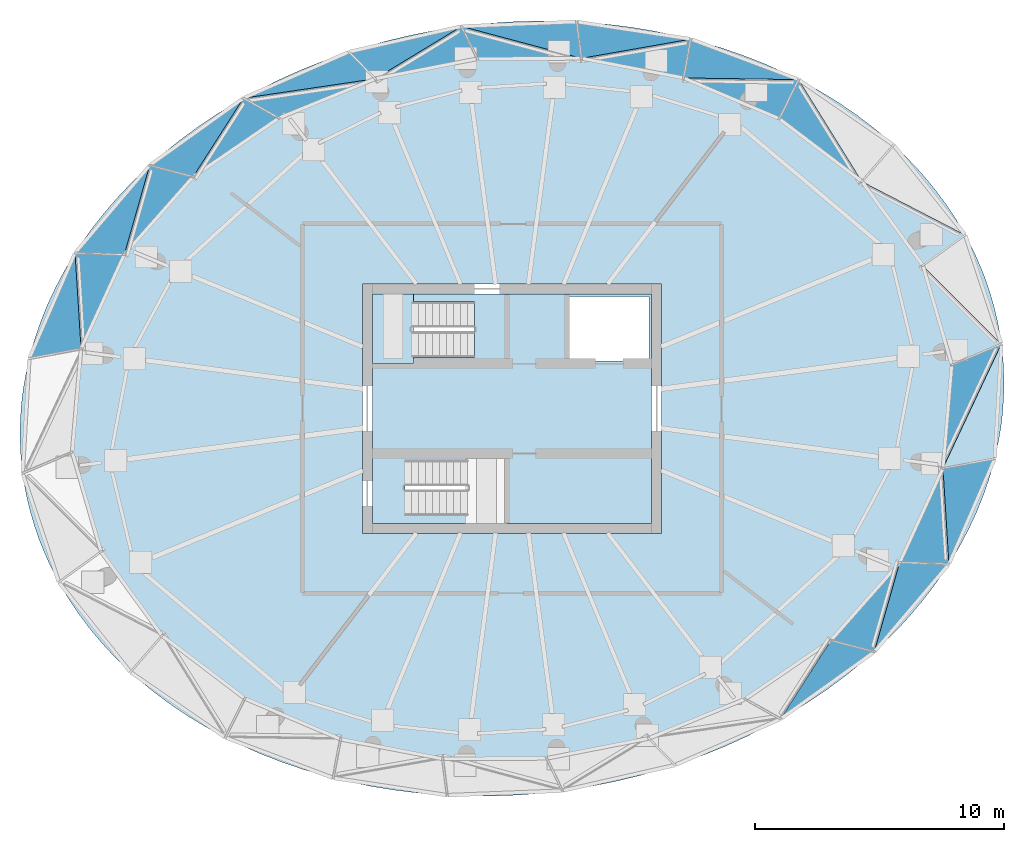
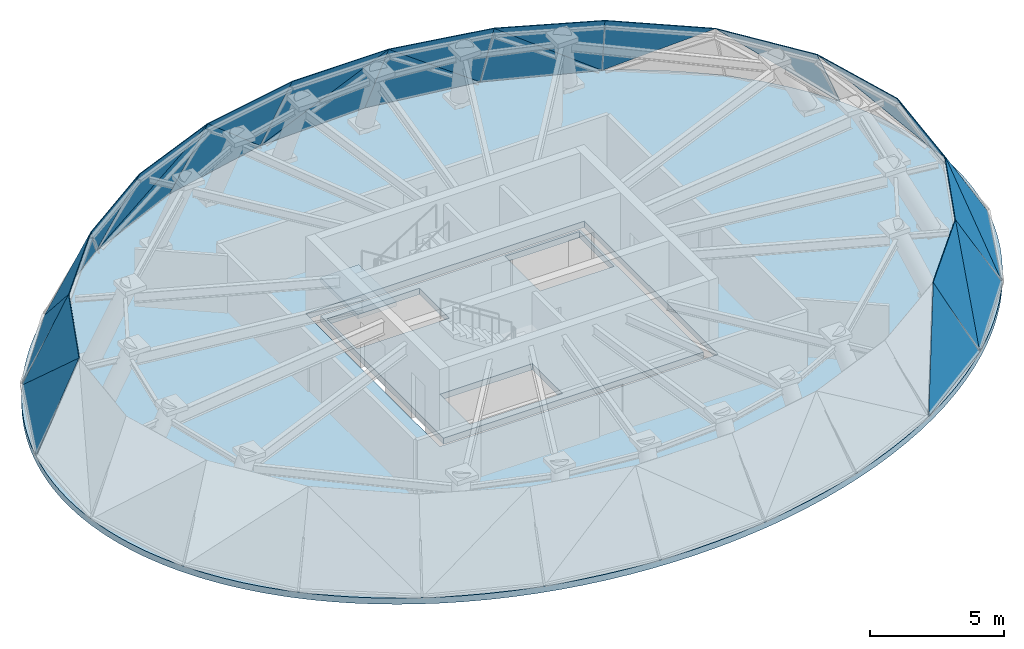
# One storey, part 6 of 9: 26 plates, 3 slabs, 27 elements without a shape of their own.
"""IFC4 building model written with IfcOpenShell, lengths in metres."""

from ifc_helpers import new_model, si_unit, direction, frame, origin, place, context, subcontext, project, spatial, line, indexed_curve, outline, extrude, material, layer, layer_set, type_object, element, aggregate, save


model = new_model("IFC4")

# Units and contexts
model_context = context("Model", 3, precision=1e-05, world=origin(), true_north=direction((0.0, 1.0)))
body_context = subcontext(model_context, "Body", "Model", "MODEL_VIEW")
ifc_project = project(units=[si_unit("LENGTHUNIT", "METRE"), si_unit("AREAUNIT", "SQUARE_METRE"), si_unit("VOLUMEUNIT", "CUBIC_METRE"), si_unit("PLANEANGLEUNIT", "RADIAN"), si_unit("MASSUNIT", "GRAM", prefix="KILO")], contexts=[model_context])

# Site, building, storey
site_placement = place(None, origin())
site = spatial("IfcSite", under=ifc_project, at=site_placement, CompositionType="ELEMENT")
building_placement = place(site_placement, origin())
building = spatial("IfcBuilding", under=site, at=building_placement, Name="Spindrift Exchange Tower", CompositionType="ELEMENT")
storey_placement = place(building_placement, frame((0.0, 0.0, 273.10009765625)))
storey = spatial("IfcBuildingStorey", under=building, at=storey_placement, Name="L67", CompositionType="ELEMENT", Elevation=273.10009765625)

# Curtain wall, plate
ifc_material_1 = material(Name="Fritted laminated glass with bronze frame", Category="glass")
ifc_layer_1 = layer(ifc_material_1, 0.14990234375)
ifc_layer_set_1 = layer_set([ifc_layer_1], Name="CROWN BRONZE RAKED GLAZED WALL")
curtain_wall_type = type_object("IfcCurtainWallType", Name="CROWN BRONZE RAKED GLAZED WALL", PredefinedType="NOTDEFINED", material=ifc_layer_set_1)
curtain_wall_1_placement = place(storey_placement, origin())
curtain_wall_1 = element("IfcCurtainWall", 1, at=curtain_wall_1_placement, inside=storey, type_object=curtain_wall_type, Name="L67 Crown Bronze Raked Glazed Wall facet 2", PredefinedType="NOTDEFINED")
ifc_material_2 = material(Name="Bronze fritted laminated glass, close frit", Category="glass")
ifc_layer_2 = layer(ifc_material_2, 0.030029296875)
ifc_layer_set_2 = layer_set([ifc_layer_2], Name="CROWN BRONZE RAKED GLAZED WALL PANEL CLOSE FRIT 300")
plate_type_1 = type_object("IfcPlateType", Name="CROWN BRONZE RAKED GLAZED WALL PANEL CLOSE FRIT 300", PredefinedType="CURTAIN_PANEL", material=ifc_layer_set_2)
plate_1_placement = place(storey_placement, frame((71.6171875, 50.591064453125, 0.015625), z_axis=(0.817805395786, 0.237777782334, 0.524076388375), x_axis=(-0.556906161695, 0.556560579218, 0.616519138978)))
plate_1 = element("IfcPlate", 2, at=plate_1_placement, type_object=plate_type_1, Name="L67 panel CW-R.1b", PredefinedType="CURTAIN_PANEL", context=body_context, shape_type="SweptSolid", body=[
    extrude(outline(indexed_curve([(0.0, 0.0), (5.6513671875, 0.0), (2.7861328125, 3.0068359375)], segments=[line(1, 2, 3, 1)], self_intersect=False)), origin(), (0.0, 0.0, -1.0), 0.030029296875),
])
aggregate(curtain_wall_1, [plate_1])

curtain_wall_2_placement = place(storey_placement, origin())
curtain_wall_2 = element("IfcCurtainWall", 3, at=curtain_wall_2_placement, inside=storey, type_object=curtain_wall_type, Name="L67 Crown Bronze Raked Glazed Wall facet 19", PredefinedType="NOTDEFINED")
plate_2_placement = place(storey_placement, frame((37.4775390625, 57.748779296875, 0.011962890625), z_axis=(-0.696440562249, 0.592748300759, 0.404499685045), x_axis=(-0.64813951054, -0.761521618128, 0.0)))
plate_2 = element("IfcPlate", 4, at=plate_2_placement, type_object=plate_type_1, Name="L67 panel CW-R.10a", PredefinedType="CURTAIN_PANEL", context=body_context, shape_type="SweptSolid", body=[
    extrude(outline(indexed_curve([(0.0, 0.0), (4.6162109375, 0.0), (3.3857421875, 3.814453125)], segments=[line(1, 2, 3, 1)], self_intersect=False)), origin(), (0.0, 0.0, -1.0), 0.030029296875),
])
aggregate(curtain_wall_2, [plate_2])

curtain_wall_3_placement = place(storey_placement, origin())
curtain_wall_3 = element("IfcCurtainWall", 5, at=curtain_wall_3_placement, inside=storey, type_object=curtain_wall_type, Name="L67 Crown Bronze Raked Glazed Wall facet 20", PredefinedType="NOTDEFINED")
plate_3_placement = place(storey_placement, frame((37.4775390625, 57.748779296875, 0.012451171875), z_axis=(-0.680273254336, 0.601735132064, 0.418501051701), x_axis=(-0.199886446238, -0.701637334042, 0.683922846591)))
plate_3 = element("IfcPlate", 6, at=plate_3_placement, type_object=plate_type_1, Name="L67 panel CW-R.10b", PredefinedType="CURTAIN_PANEL", context=body_context, shape_type="SweptSolid", body=[
    extrude(outline(indexed_curve([(0.0, 0.0), (5.099609375, 0.0), (2.359375, 3.1357421875)], segments=[line(1, 2, 3, 1)], self_intersect=False)), origin(), (0.0, 0.0, -1.0), 0.030029296875),
])
aggregate(curtain_wall_3, [plate_3])

curtain_wall_4_placement = place(storey_placement, origin())
curtain_wall_4 = element("IfcCurtainWall", 7, at=curtain_wall_4_placement, inside=storey, type_object=curtain_wall_type, Name="L67 Crown Bronze Raked Glazed Wall facet 21", PredefinedType="NOTDEFINED")
plate_4_placement = place(storey_placement, frame((34.4853515625, 54.233154296875, 0.01318359375), z_axis=(-0.819831460586, 0.35595453716, 0.448522846361), x_axis=(-0.398261289567, -0.917272012673, 0.0)))
plate_4 = element("IfcPlate", 8, at=plate_4_placement, type_object=plate_type_1, Name="L67 panel CW-R.11a", PredefinedType="CURTAIN_PANEL", context=body_context, shape_type="SweptSolid", body=[
    extrude(outline(indexed_curve([(0.0, 0.0), (4.6103515625, 0.0), (3.4296875, 3.9013671875)], segments=[line(1, 2, 3, 1)], self_intersect=False)), origin(), (0.0, 0.0, -1.0), 0.030029296875),
])
aggregate(curtain_wall_4, [plate_4])

curtain_wall_5_placement = place(storey_placement, origin())
curtain_wall_5 = element("IfcCurtainWall", 9, at=curtain_wall_5_placement, inside=storey, type_object=curtain_wall_type, Name="L67 Crown Bronze Raked Glazed Wall facet 22", PredefinedType="NOTDEFINED")
plate_5_placement = place(storey_placement, frame((34.4853515625, 54.233154296875, 0.013671875), z_axis=(-0.805851597387, 0.369565499422, 0.462627868406), x_axis=(0.046065017203, -0.739813577304, 0.671233107815)))
plate_5 = element("IfcPlate", 10, at=plate_5_placement, type_object=plate_type_1, Name="L67 panel CW-R.11b", PredefinedType="CURTAIN_PANEL", context=body_context, shape_type="SweptSolid", body=[
    extrude(outline(indexed_curve([(0.0, 0.0), (5.1943359375, 0.0), (2.4775390625, 3.1484375)], segments=[line(1, 2, 3, 1)], self_intersect=False)), origin(), (0.0, 0.0, -1.0), 0.030029296875),
])
aggregate(curtain_wall_5, [plate_5])

curtain_wall_6_placement = place(storey_placement, origin())
curtain_wall_6 = element("IfcCurtainWall", 11, at=curtain_wall_6_placement, inside=storey, type_object=curtain_wall_type, Name="L67 Crown Bronze Raked Glazed Wall facet 43", PredefinedType="NOTDEFINED")
plate_6_placement = place(storey_placement, frame((66.5224609375, 38.251220703125, 0.011962890625), z_axis=(0.696440562249, -0.592748300759, 0.404499685045), x_axis=(0.64813951054, 0.761521618128, 0.0)))
plate_6 = element("IfcPlate", 12, at=plate_6_placement, type_object=plate_type_1, Name="L67 panel CW-R.22a", PredefinedType="CURTAIN_PANEL", context=body_context, shape_type="SweptSolid", body=[
    extrude(outline(indexed_curve([(0.0, 0.0), (4.6162109375, 0.0), (3.3857421875, 3.814453125)], segments=[line(1, 2, 3, 1)], self_intersect=False)), origin(), (0.0, 0.0, -1.0), 0.030029296875),
])
aggregate(curtain_wall_6, [plate_6])

curtain_wall_7_placement = place(storey_placement, origin())
curtain_wall_7 = element("IfcCurtainWall", 13, at=curtain_wall_7_placement, inside=storey, type_object=curtain_wall_type, Name="L67 Crown Bronze Raked Glazed Wall facet 44", PredefinedType="NOTDEFINED")
plate_7_placement = place(storey_placement, frame((66.5224609375, 38.251220703125, 0.012451171875), z_axis=(0.680273254336, -0.601735132064, 0.418501051701), x_axis=(0.199886446238, 0.701637334042, 0.683922846591)))
plate_7 = element("IfcPlate", 14, at=plate_7_placement, type_object=plate_type_1, Name="L67 panel CW-R.22b", PredefinedType="CURTAIN_PANEL", context=body_context, shape_type="SweptSolid", body=[
    extrude(outline(indexed_curve([(0.0, 0.0), (5.099609375, 0.0), (2.359375, 3.1357421875)], segments=[line(1, 2, 3, 1)], self_intersect=False)), origin(), (0.0, 0.0, -1.0), 0.030029296875),
])
aggregate(curtain_wall_7, [plate_7])

curtain_wall_8_placement = place(storey_placement, origin())
curtain_wall_8 = element("IfcCurtainWall", 15, at=curtain_wall_8_placement, inside=storey, type_object=curtain_wall_type, Name="L67 Crown Bronze Raked Glazed Wall facet 45", PredefinedType="NOTDEFINED")
plate_8_placement = place(storey_placement, frame((69.5146484375, 41.766845703125, 0.01318359375), z_axis=(0.819831460586, -0.35595453716, 0.448522846361), x_axis=(0.398261289567, 0.917272012673, 0.0)))
plate_8 = element("IfcPlate", 16, at=plate_8_placement, type_object=plate_type_1, Name="L67 panel CW-R.23a", PredefinedType="CURTAIN_PANEL", context=body_context, shape_type="SweptSolid", body=[
    extrude(outline(indexed_curve([(0.0, 0.0), (4.6103515625, 0.0), (3.4296875, 3.9013671875)], segments=[line(1, 2, 3, 1)], self_intersect=False)), origin(), (0.0, 0.0, -1.0), 0.030029296875),
])
aggregate(curtain_wall_8, [plate_8])

curtain_wall_9_placement = place(storey_placement, origin())
curtain_wall_9 = element("IfcCurtainWall", 17, at=curtain_wall_9_placement, inside=storey, type_object=curtain_wall_type, Name="L67 Crown Bronze Raked Glazed Wall facet 46", PredefinedType="NOTDEFINED")
plate_9_placement = place(storey_placement, frame((69.5146484375, 41.766845703125, 0.013671875), z_axis=(0.805851597387, -0.369565499422, 0.462627868406), x_axis=(-0.046065017203, 0.739813577304, 0.671233107815)))
plate_9 = element("IfcPlate", 18, at=plate_9_placement, type_object=plate_type_1, Name="L67 panel CW-R.23b", PredefinedType="CURTAIN_PANEL", context=body_context, shape_type="SweptSolid", body=[
    extrude(outline(indexed_curve([(0.0, 0.0), (5.1943359375, 0.0), (2.4775390625, 3.1484375)], segments=[line(1, 2, 3, 1)], self_intersect=False)), origin(), (0.0, 0.0, -1.0), 0.030029296875),
])
aggregate(curtain_wall_9, [plate_9])

curtain_wall_10_placement = place(storey_placement, origin())
curtain_wall_10 = element("IfcCurtainWall", 19, at=curtain_wall_10_placement, inside=storey, type_object=curtain_wall_type, Name="L67 Crown Bronze Raked Glazed Wall facet 47", PredefinedType="NOTDEFINED")
plate_10_placement = place(storey_placement, frame((71.6171875, 50.591064453125, 0.01513671875), z_axis=(0.860548093675, -0.049921298252, 0.506916997597), x_axis=(-0.057913683636, -0.998321594101, 0.0)))
plate_10 = element("IfcPlate", 20, at=plate_10_placement, type_object=plate_type_1, Name="L67 panel CW-R.24a", PredefinedType="CURTAIN_PANEL", context=body_context, shape_type="SweptSolid", body=[
    extrude(outline(indexed_curve([(0.0, 0.0), (4.603515625, 0.0), (5.109375, -4.04296875)], segments=[line(1, 2, 3, 1)], self_intersect=False)), origin(), (0.0, 0.0, -1.0), 0.030029296875),
])
aggregate(curtain_wall_10, [plate_10])

curtain_wall_11_placement = place(storey_placement, origin())
curtain_wall_11 = element("IfcCurtainWall", 21, at=curtain_wall_11_placement, inside=storey, type_object=curtain_wall_type, Name="L67 Crown Bronze Raked Glazed Wall facet 48", PredefinedType="NOTDEFINED")
plate_11_placement = place(storey_placement, frame((71.6171875, 50.591064453125, 0.014404296875), z_axis=(0.87391189005, -0.074750604092, 0.480302358538), x_axis=(-0.35942410855, -0.76460059789, 0.53497685548)))
plate_11 = element("IfcPlate", 22, at=plate_11_placement, type_object=plate_type_1, Name="L67 panel CW-R.24b", PredefinedType="CURTAIN_PANEL", context=body_context, shape_type="SweptSolid", body=[
    extrude(outline(indexed_curve([(0.0, 0.0), (6.515625, 0.0), (3.2236328125, -2.533203125)], segments=[line(1, 2, 3, 1)], self_intersect=False)), origin(), (0.0, 0.0, -1.0), 0.030029296875),
])
aggregate(curtain_wall_11, [plate_11])

curtain_wall_12_placement = place(storey_placement, origin())
curtain_wall_12 = element("IfcCurtainWall", 23, at=curtain_wall_12_placement, inside=storey, type_object=curtain_wall_type, Name="L67 Crown Bronze Raked Glazed Wall facet 7", PredefinedType="NOTDEFINED")
ifc_layer_3 = layer(ifc_material_2, 0.030029296875)
ifc_layer_set_3 = layer_set([ifc_layer_3], Name="CROWN BRONZE RAKED GLAZED WALL PANEL CLOSE FRIT 420")
plate_type_2 = type_object("IfcPlateType", Name="CROWN BRONZE RAKED GLAZED WALL PANEL CLOSE FRIT 420", PredefinedType="CURTAIN_PANEL", material=ifc_layer_set_3)
plate_12_placement = place(storey_placement, frame((63.493408203125, 61.184814453125, 0.01220703125), z_axis=(0.320892026438, 0.85463487396, 0.408200366952), x_axis=(-0.936183619972, 0.351511350735, 0.0)))
plate_12 = element("IfcPlate", 24, at=plate_12_placement, type_object=plate_type_2, Name="L67 panel CW-R.4a", PredefinedType="CURTAIN_PANEL", context=body_context, shape_type="SweptSolid", body=[
    extrude(outline(indexed_curve([(0.0, 0.0), (4.62109375, 0.0), (4.34765625, 3.8203125)], segments=[line(1, 2, 3, 1)], self_intersect=False)), origin(), (0.0, 0.0, -1.0), 0.030029296875),
])
aggregate(curtain_wall_12, [plate_12])

curtain_wall_13_placement = place(storey_placement, origin())
curtain_wall_13 = element("IfcCurtainWall", 25, at=curtain_wall_13_placement, inside=storey, type_object=curtain_wall_type, Name="L67 Crown Bronze Raked Glazed Wall facet 8", PredefinedType="NOTDEFINED")
plate_13_placement = place(storey_placement, frame((63.493408203125, 61.184814453125, 0.01318359375), z_axis=(0.350396313984, 0.822496563657, 0.448019894557), x_axis=(-0.798016724851, 0.01177028263, 0.602520345968)))
plate_13 = element("IfcPlate", 26, at=plate_13_placement, type_object=plate_type_2, Name="L67 panel CW-R.4b", PredefinedType="CURTAIN_PANEL", context=body_context, shape_type="SweptSolid", body=[
    extrude(outline(indexed_curve([(0.0, 0.0), (5.787109375, 0.0), (2.7080078125, 2.80859375)], segments=[line(1, 2, 3, 1)], self_intersect=False)), origin(), (0.0, 0.0, -1.0), 0.030029296875),
])
aggregate(curtain_wall_13, [plate_13])

curtain_wall_14_placement = place(storey_placement, origin())
curtain_wall_14 = element("IfcCurtainWall", 27, at=curtain_wall_14_placement, inside=storey, type_object=curtain_wall_type, Name="L67 Crown Bronze Raked Glazed Wall facet 13", PredefinedType="NOTDEFINED")
plate_14_placement = place(storey_placement, frame((49.976806640625, 63.319091796875, 0.01025390625), z_axis=(-0.207777067508, 0.915468138565, 0.344596543062), x_axis=(-0.975198163872, -0.221333551865, 0.0)))
plate_14 = element("IfcPlate", 28, at=plate_14_placement, type_object=plate_type_2, Name="L67 panel CW-R.7a", PredefinedType="CURTAIN_PANEL", context=body_context, shape_type="SweptSolid", body=[
    extrude(outline(indexed_curve([(0.0, 0.0), (4.6240234375, 0.0), (3.8388671875, 3.7177734375)], segments=[line(1, 2, 3, 1)], self_intersect=False)), origin(), (0.0, 0.0, -1.0), 0.030029296875),
])
aggregate(curtain_wall_14, [plate_14])

curtain_wall_15_placement = place(storey_placement, origin())
curtain_wall_15 = element("IfcCurtainWall", 29, at=curtain_wall_15_placement, inside=storey, type_object=curtain_wall_type, Name="L67 Crown Bronze Raked Glazed Wall facet 14", PredefinedType="NOTDEFINED")
plate_15_placement = place(storey_placement, frame((49.976806640625, 63.319091796875, 0.010986328125), z_axis=(-0.178106005498, 0.911183149886, 0.371515165464), x_axis=(-0.647544215483, -0.392812420301, 0.652981539901)))
plate_15 = element("IfcPlate", 30, at=plate_15_placement, type_object=plate_type_2, Name="L67 panel CW-R.7b", PredefinedType="CURTAIN_PANEL", context=body_context, shape_type="SweptSolid", body=[
    extrude(outline(indexed_curve([(0.0, 0.0), (5.3427734375, 0.0), (2.37890625, 2.93359375)], segments=[line(1, 2, 3, 1)], self_intersect=False)), origin(), (0.0, 0.0, -1.0), 0.030029296875),
])
aggregate(curtain_wall_15, [plate_15])

curtain_wall_16_placement = place(storey_placement, origin())
curtain_wall_16 = element("IfcCurtainWall", 31, at=curtain_wall_16_placement, inside=storey, type_object=curtain_wall_type, Name="L67 Crown Bronze Raked Glazed Wall facet 15", PredefinedType="NOTDEFINED")
plate_16_placement = place(storey_placement, frame((41.2333984375, 60.4404296875, 0.010986328125), z_axis=(-0.372232420383, 0.849536368826, 0.373806077075), x_axis=(0.915935380129, 0.401325777178, 0.0)))
plate_16 = element("IfcPlate", 32, at=plate_16_placement, type_object=plate_type_2, Name="L67 panel CW-R.8a", PredefinedType="CURTAIN_PANEL", context=body_context, shape_type="SweptSolid", body=[
    extrude(outline(indexed_curve([(0.0, 0.0), (4.623046875, 0.0), (5.15234375, -3.76171875)], segments=[line(1, 2, 3, 1)], self_intersect=False)), origin(), (0.0, 0.0, -1.0), 0.030029296875),
])
aggregate(curtain_wall_16, [plate_16])

curtain_wall_17_placement = place(storey_placement, origin())
curtain_wall_17 = element("IfcCurtainWall", 33, at=curtain_wall_17_placement, inside=storey, type_object=curtain_wall_type, Name="L67 Crown Bronze Raked Glazed Wall facet 16", PredefinedType="NOTDEFINED")
plate_17_placement = place(storey_placement, frame((41.2333984375, 60.4404296875, 0.01025390625), z_axis=(-0.354896321926, 0.869724226707, 0.342969926032), x_axis=(0.828159006095, 0.122228171779, 0.547003596558)))
plate_17 = element("IfcPlate", 34, at=plate_17_placement, type_object=plate_type_2, Name="L67 panel CW-R.8b", PredefinedType="CURTAIN_PANEL", context=body_context, shape_type="SweptSolid", body=[
    extrude(outline(indexed_curve([(0.0, 0.0), (6.3798828125, 0.0), (2.990234375, -2.4287109375)], segments=[line(1, 2, 3, 1)], self_intersect=False)), origin(), (0.0, 0.0, -1.0), 0.030029296875),
])
aggregate(curtain_wall_17, [plate_17])

curtain_wall_18_placement = place(storey_placement, origin())
curtain_wall_18 = element("IfcCurtainWall", 35, at=curtain_wall_18_placement, inside=storey, type_object=curtain_wall_type, Name="L67 Crown Bronze Raked Glazed Wall facet 4", PredefinedType="NOTDEFINED")
ifc_layer_4 = layer(ifc_material_2, 0.030029296875)
ifc_layer_set_4 = layer_set([ifc_layer_4], Name="CROWN BRONZE RAKED GLAZED WALL PANEL CLOSE FRIT 540")
plate_type_3 = type_object("IfcPlateType", Name="CROWN BRONZE RAKED GLAZED WALL PANEL CLOSE FRIT 540", PredefinedType="CURTAIN_PANEL", material=ifc_layer_set_4)
plate_18_placement = place(storey_placement, frame((70.166748046875, 54.959716796875, 0.015380859375), z_axis=(0.693937097386, 0.503528448702, 0.514694478521), x_axis=(-0.711274329892, 0.36820140333, 0.598762519053)))
plate_18 = element("IfcPlate", 36, at=plate_18_placement, type_object=plate_type_3, Name="L67 panel CW-R.2b", PredefinedType="CURTAIN_PANEL", context=body_context, shape_type="SweptSolid", body=[
    extrude(outline(indexed_curve([(0.0, 0.0), (5.8193359375, 0.0), (2.8427734375, 2.904296875)], segments=[line(1, 2, 3, 1)], self_intersect=False)), origin(), (0.0, 0.0, -1.0), 0.030029296875),
])
aggregate(curtain_wall_18, [plate_18])

curtain_wall_19_placement = place(storey_placement, origin())
curtain_wall_19 = element("IfcCurtainWall", 37, at=curtain_wall_19_placement, inside=storey, type_object=curtain_wall_type, Name="L67 Crown Bronze Raked Glazed Wall facet 6", PredefinedType="NOTDEFINED")
plate_19_placement = place(storey_placement, frame((63.493408203125, 61.184814453125, 0.01318359375), z_axis=(0.541980567587, 0.714421760883, 0.442559162074), x_axis=(0.426829939985, -0.687640757924, 0.587338395112)))
plate_19 = element("IfcPlate", 38, at=plate_19_placement, type_object=plate_type_3, Name="L67 panel CW-R.3b", PredefinedType="CURTAIN_PANEL", context=body_context, shape_type="SweptSolid", body=[
    extrude(outline(indexed_curve([(0.0, 0.0), (5.9365234375, 0.0), (2.7900390625, -2.7275390625)], segments=[line(1, 2, 3, 1)], self_intersect=False)), origin(), (0.0, 0.0, -1.0), 0.030029296875),
])
aggregate(curtain_wall_19, [plate_19])

curtain_wall_20_placement = place(storey_placement, origin())
curtain_wall_20 = element("IfcCurtainWall", 39, at=curtain_wall_20_placement, inside=storey, type_object=curtain_wall_type, Name="L67 Crown Bronze Raked Glazed Wall facet 9", PredefinedType="NOTDEFINED")
plate_20_placement = place(storey_placement, frame((59.16748046875, 62.80908203125, 0.01123046875), z_axis=(0.138753199477, 0.915937463825, 0.376571523082), x_axis=(-0.988719533614, 0.149778783042, 0.0)))
plate_20 = element("IfcPlate", 40, at=plate_20_placement, type_object=plate_type_3, Name="L67 panel CW-R.5a", PredefinedType="CURTAIN_PANEL", context=body_context, shape_type="SweptSolid", body=[
    extrude(outline(indexed_curve([(0.0, 0.0), (4.623046875, 0.0), (4.22265625, 3.765625)], segments=[line(1, 2, 3, 1)], self_intersect=False)), origin(), (0.0, 0.0, -1.0), 0.030029296875),
])
aggregate(curtain_wall_20, [plate_20])

curtain_wall_21_placement = place(storey_placement, origin())
curtain_wall_21 = element("IfcCurtainWall", 41, at=curtain_wall_21_placement, inside=storey, type_object=curtain_wall_type, Name="L67 Crown Bronze Raked Glazed Wall facet 10", PredefinedType="NOTDEFINED")
plate_21_placement = place(storey_placement, frame((59.16748046875, 62.80908203125, 0.01220703125), z_axis=(0.171732375832, 0.894223970024, 0.413366039396), x_axis=(-0.775480119442, -0.13607261487, 0.616534530933)))
plate_21 = element("IfcPlate", 42, at=plate_21_placement, type_object=plate_type_3, Name="L67 panel CW-R.5b", PredefinedType="CURTAIN_PANEL", context=body_context, shape_type="SweptSolid", body=[
    extrude(outline(indexed_curve([(0.0, 0.0), (5.6572265625, 0.0), (2.5888671875, 2.8232421875)], segments=[line(1, 2, 3, 1)], self_intersect=False)), origin(), (0.0, 0.0, -1.0), 0.030029296875),
])
aggregate(curtain_wall_21, [plate_21])

curtain_wall_22_placement = place(storey_placement, origin())
curtain_wall_22 = element("IfcCurtainWall", 43, at=curtain_wall_22_placement, inside=storey, type_object=curtain_wall_type, Name="L67 Crown Bronze Raked Glazed Wall facet 11", PredefinedType="NOTDEFINED")
plate_22_placement = place(storey_placement, frame((49.976806640625, 63.319091796875, 0.011474609375), z_axis=(-0.036354235479, 0.920973965458, 0.387924379887), x_axis=(0.999221823409, 0.039442966714, 0.0)))
plate_22 = element("IfcPlate", 44, at=plate_22_placement, type_object=plate_type_3, Name="L67 panel CW-R.6a", PredefinedType="CURTAIN_PANEL", context=body_context, shape_type="SweptSolid", body=[
    extrude(outline(indexed_curve([(0.0, 0.0), (4.6240234375, 0.0), (4.7490234375, -3.78515625)], segments=[line(1, 2, 3, 1)], self_intersect=False)), origin(), (0.0, 0.0, -1.0), 0.030029296875),
])
aggregate(curtain_wall_22, [plate_22])

curtain_wall_23_placement = place(storey_placement, origin())
curtain_wall_23 = element("IfcCurtainWall", 45, at=curtain_wall_23_placement, inside=storey, type_object=curtain_wall_type, Name="L67 Crown Bronze Raked Glazed Wall facet 12", PredefinedType="NOTDEFINED")
plate_23_placement = place(storey_placement, frame((49.976806640625, 63.319091796875, 0.010498046875), z_axis=(-0.004277938693, 0.936923419112, 0.349508520584), x_axis=(0.790900545217, -0.210708510776, 0.574524369424)))
plate_23 = element("IfcPlate", 46, at=plate_23_placement, type_object=plate_type_3, Name="L67 panel CW-R.6b", PredefinedType="CURTAIN_PANEL", context=body_context, shape_type="SweptSolid", body=[
    extrude(outline(indexed_curve([(0.0, 0.0), (6.0732421875, 0.0), (2.779296875, -2.5576171875)], segments=[line(1, 2, 3, 1)], self_intersect=False)), origin(), (0.0, 0.0, -1.0), 0.030029296875),
])
aggregate(curtain_wall_23, [plate_23])

curtain_wall_24_placement = place(storey_placement, origin())
curtain_wall_24 = element("IfcCurtainWall", 47, at=curtain_wall_24_placement, inside=storey, type_object=curtain_wall_type, Name="L67 Crown Bronze Raked Glazed Wall facet 17", PredefinedType="NOTDEFINED")
plate_24_placement = place(storey_placement, frame((41.2333984375, 60.4404296875, 0.010986328125), z_axis=(-0.541345363427, 0.755379326165, 0.369252313599), x_axis=(-0.812822130874, -0.582511960016, 0.0)))
plate_24 = element("IfcPlate", 48, at=plate_24_placement, type_object=plate_type_3, Name="L67 panel CW-R.9a", PredefinedType="CURTAIN_PANEL", context=body_context, shape_type="SweptSolid", body=[
    extrude(outline(indexed_curve([(0.0, 0.0), (4.62109375, 0.0), (3.4736328125, 3.75390625)], segments=[line(1, 2, 3, 1)], self_intersect=False)), origin(), (0.0, 0.0, -1.0), 0.030029296875),
])
aggregate(curtain_wall_24, [plate_24])

curtain_wall_25_placement = place(storey_placement, origin())
curtain_wall_25 = element("IfcCurtainWall", 49, at=curtain_wall_25_placement, inside=storey, type_object=curtain_wall_type, Name="L67 Crown Bronze Raked Glazed Wall facet 18", PredefinedType="NOTDEFINED")
plate_25_placement = place(storey_placement, frame((41.2333984375, 60.4404296875, 0.011474609375), z_axis=(-0.521180976159, 0.761102545277, 0.386126023034), x_axis=(-0.394185232535, -0.615956192859, 0.682067424036)))
plate_25 = element("IfcPlate", 50, at=plate_25_placement, type_object=plate_type_3, Name="L67 panel CW-R.9b", PredefinedType="CURTAIN_PANEL", context=body_context, shape_type="SweptSolid", body=[
    extrude(outline(indexed_curve([(0.0, 0.0), (5.1142578125, 0.0), (2.30859375, 3.08203125)], segments=[line(1, 2, 3, 1)], self_intersect=False)), origin(), (0.0, 0.0, -1.0), 0.030029296875),
])
aggregate(curtain_wall_25, [plate_25])

curtain_wall_26_placement = place(storey_placement, origin())
curtain_wall_26 = element("IfcCurtainWall", 51, at=curtain_wall_26_placement, inside=storey, type_object=curtain_wall_type, Name="L67 Crown Bronze Raked Glazed Wall facet 41", PredefinedType="NOTDEFINED")
plate_26_placement = place(storey_placement, frame((62.7666015625, 35.5595703125, 0.010986328125), z_axis=(0.541345363427, -0.755379326165, 0.369252313599), x_axis=(0.812822130874, 0.582511960016, 0.0)))
plate_26 = element("IfcPlate", 52, at=plate_26_placement, type_object=plate_type_3, Name="L67 panel CW-R.21a", PredefinedType="CURTAIN_PANEL", context=body_context, shape_type="SweptSolid", body=[
    extrude(outline(indexed_curve([(0.0, 0.0), (4.62109375, 0.0), (3.4736328125, 3.75390625)], segments=[line(1, 2, 3, 1)], self_intersect=False)), origin(), (0.0, 0.0, -1.0), 0.030029296875),
])
aggregate(curtain_wall_26, [plate_26])

# Slabs
ifc_material_3 = material(Name="Concrete 40 MPa", Category="concrete")
ifc_layer_5 = layer(ifc_material_3, 0.280029296875)
ifc_layer_set_5 = layer_set([ifc_layer_5], Name="RC Floor Slab 280 Concrete 40 MPa")
slab_type_1 = type_object("IfcSlabType", Name="RC Floor Slab 280 Concrete 40 MPa", PredefinedType="FLOOR", material=ifc_layer_set_5)
slab_1_placement = place(storey_placement, frame((0.0, 0.0, -0.280029296875)))
element("IfcSlab", 53, at=slab_1_placement, inside=storey, type_object=slab_type_1, Name="Floor slab L67", PredefinedType="FLOOR", context=body_context, shape_type="SweptSolid", body=[
    extrude(outline(indexed_curve([(71.6171875, 50.591064453125), (71.520751953125, 51.20068359375), (71.4609375, 51.503662109375), (71.318115234375, 52.10400390625), (71.14501953125, 52.69677734375), (70.9423828125, 53.27978515625), (70.830322265625, 53.5673828125), (70.585205078125, 54.134033203125), (70.312744140625, 54.68798828125), (70.166748046875, 54.959716796875), (69.855712890625, 55.492919921875), (69.69091796875, 55.754150390625), (69.34375, 56.264404296875), (68.97412109375, 56.759033203125), (68.78125, 57.0), (68.380126953125, 57.469482421875), (68.17236328125, 57.697509765625), (67.742919921875, 58.14111328125), (67.521484375, 58.35595703125), (67.06591796875, 58.772705078125), (66.832275390625, 58.974365234375), (66.353515625, 59.3642578125), (65.860595703125, 59.73583984375), (65.609130859375, 59.914794921875), (65.0966796875, 60.259521484375), (64.836181640625, 60.4248046875), (64.306884765625, 60.7421875), (63.766845703125, 61.0419921875), (62.939697265625, 61.457763671875), (62.093505859375, 61.833984375), (61.231201171875, 62.17138671875), (60.354736328125, 62.469970703125), (59.466064453125, 62.730712890625), (58.5673828125, 62.953857421875), (57.660400390625, 63.140380859375), (56.74658203125, 63.290283203125), (55.82763671875, 63.404296875), (54.905029296875, 63.48291015625), (53.97998046875, 63.526611328125), (53.053955078125, 63.535400390625), (52.12841796875, 63.51025390625), (51.51220703125, 63.474365234375), (50.896728515625, 63.42333984375), (49.976806640625, 63.319091796875), (49.36572265625, 63.230712890625), (48.757080078125, 63.12744140625), (47.84912109375, 62.945068359375), (46.948486328125, 62.72900390625), (46.056884765625, 62.47998046875), (45.1748046875, 62.19775390625), (44.30419921875, 61.88232421875), (43.4462890625, 61.53369140625), (42.602783203125, 61.151611328125), (41.775390625, 60.736083984375), (40.96533203125, 60.287109375), (40.175048828125, 59.8046875), (39.406005859375, 59.288818359375), (38.660888671875, 58.7392578125), (37.94140625, 58.156005859375), (37.25048828125, 57.53955078125), (36.806884765625, 57.110107421875), (36.378173828125, 56.666259765625), (36.16943359375, 56.438720703125), (35.964599609375, 56.20751953125), (35.56787109375, 55.73486328125), (35.188232421875, 55.247802734375), (35.00537109375, 54.999267578125), (34.65380859375, 54.49169921875), (34.4853515625, 54.233154296875), (34.164306640625, 53.705810546875), (34.011474609375, 53.4375), (33.722900390625, 52.891845703125), (33.45751953125, 52.33447265625), (33.333984375, 52.0517578125), (33.10546875, 51.478271484375), (32.902587890625, 50.89501953125), (32.811279296875, 50.600341796875), (32.6494140625, 50.004638671875), (32.515380859375, 49.40185546875), (32.410888671875, 48.79345703125), (32.369873046875, 48.487548828125), (32.336181640625, 48.180908203125), (32.2919921875, 47.56494140625), (32.27880859375, 46.947998046875), (32.296875, 46.330810546875), (32.317626953125, 46.022705078125), (32.3828125, 45.408935546875), (32.479248046875, 44.79931640625), (32.5390625, 44.496337890625), (32.681884765625, 43.89599609375), (32.85498046875, 43.30322265625), (33.0576171875, 42.72021484375), (33.169677734375, 42.4326171875), (33.414794921875, 41.865966796875), (33.687255859375, 41.31201171875), (33.833251953125, 41.040283203125), (34.144287109375, 40.507080078125), (34.30908203125, 40.245849609375), (34.65625, 39.735595703125), (35.02587890625, 39.240966796875), (35.21875, 39.0), (35.619873046875, 38.530517578125), (35.82763671875, 38.302490234375), (36.257080078125, 37.85888671875), (36.478515625, 37.64404296875), (36.93408203125, 37.227294921875), (37.167724609375, 37.025634765625), (37.646484375, 36.6357421875), (38.139404296875, 36.26416015625), (38.390869140625, 36.085205078125), (38.9033203125, 35.740478515625), (39.163818359375, 35.5751953125), (39.693115234375, 35.2578125), (40.233154296875, 34.9580078125), (41.060302734375, 34.542236328125), (41.906494140625, 34.166015625), (42.768798828125, 33.82861328125), (43.645263671875, 33.530029296875), (44.533935546875, 33.269287109375), (45.4326171875, 33.046142578125), (46.339599609375, 32.859619140625), (47.25341796875, 32.709716796875), (48.17236328125, 32.595703125), (49.094970703125, 32.51708984375), (50.02001953125, 32.473388671875), (50.946044921875, 32.464599609375), (51.87158203125, 32.48974609375), (52.48779296875, 32.525634765625), (53.103271484375, 32.57666015625), (54.023193359375, 32.680908203125), (54.63427734375, 32.769287109375), (55.242919921875, 32.87255859375), (56.15087890625, 33.054931640625), (57.051513671875, 33.27099609375), (57.943115234375, 33.52001953125), (58.8251953125, 33.80224609375), (59.69580078125, 34.11767578125), (60.5537109375, 34.46630859375), (61.397216796875, 34.848388671875), (62.224609375, 35.263916015625), (63.03466796875, 35.712890625), (63.824951171875, 36.1953125), (64.593994140625, 36.711181640625), (65.339111328125, 37.2607421875), (66.05859375, 37.843994140625), (66.74951171875, 38.46044921875), (67.193115234375, 38.889892578125), (67.621826171875, 39.333740234375), (67.83056640625, 39.561279296875), (68.035400390625, 39.79248046875), (68.43212890625, 40.26513671875), (68.811767578125, 40.752197265625), (68.99462890625, 41.000732421875), (69.34619140625, 41.50830078125), (69.5146484375, 41.766845703125), (69.835693359375, 42.294189453125), (69.988525390625, 42.5625), (70.277099609375, 43.108154296875), (70.54248046875, 43.66552734375), (70.666015625, 43.9482421875), (70.89453125, 44.521728515625), (71.097412109375, 45.10498046875), (71.188720703125, 45.399658203125), (71.3505859375, 45.995361328125), (71.484619140625, 46.59814453125), (71.589111328125, 47.20654296875), (71.630126953125, 47.512451171875), (71.663818359375, 47.819091796875), (71.7080078125, 48.43505859375), (71.72119140625, 49.052001953125), (71.703125, 49.669189453125), (71.682373046875, 49.977294921875)], segments=[line(1, 2, 3, 4, 5, 6, 7, 8, 9, 10, 11, 12, 13, 14, 15, 16, 17, 18, 19, 20, 21, 22, 23, 24, 25, 26, 27, 28, 29, 30, 31, 32, 33, 34, 35, 36, 37, 38, 39, 40, 41, 42, 43, 44, 45, 46, 47, 48, 49, 50, 51, 52, 53, 54, 55, 56, 57, 58, 59, 60, 61, 62, 63, 64, 65, 66, 67, 68, 69, 70, 71, 72, 73, 74, 75, 76, 77, 78, 79, 80, 81, 82, 83, 84, 85, 86, 87, 88, 89, 90, 91, 92, 93, 94, 95, 96, 97, 98, 99, 100, 101, 102, 103, 104, 105, 106, 107, 108, 109, 110, 111, 112, 113, 114, 115, 116, 117, 118, 119, 120, 121, 122, 123, 124, 125, 126, 127, 128, 129, 130, 131, 132, 133, 134, 135, 136, 137, 138, 139, 140, 141, 142, 143, 144, 145, 146, 147, 148, 149, 150, 151, 152, 153, 154, 155, 156, 157, 158, 159, 160, 161, 162, 163, 164, 165, 166, 167, 168, 169, 170, 171, 172, 1)], self_intersect=False), holes=[indexed_curve([(46.0, 43.0), (58.0, 43.0), (58.0, 53.0), (46.0, 53.0)], segments=[line(1, 2, 3, 4, 1)], self_intersect=False)]), origin(), (0.0, 0.0, 1.0), 0.280029296875),
])
ifc_material_4 = material(Name="Concrete 50 MPa", Category="concrete")
ifc_layer_6 = layer(ifc_material_4, 0.280029296875)
ifc_layer_set_6 = layer_set([ifc_layer_6], Name="SL-CORE-FLOOR-280")
slab_type_2 = type_object("IfcSlabType", Name="SL-CORE-FLOOR-280", PredefinedType="FLOOR", material=ifc_layer_set_6)
slab_2_placement = place(storey_placement, frame((0.0, 0.0, -0.280029296875)))
element("IfcSlab", 54, at=slab_2_placement, inside=storey, type_object=slab_type_2, Name="L67 Core floor slab", PredefinedType="FLOOR", context=body_context, shape_type="SweptSolid", body=[
    extrude(outline(indexed_curve([(46.39990234375, 43.39990234375), (46.39990234375, 52.60009765625), (57.60009765625, 52.60009765625), (57.60009765625, 43.39990234375)], segments=[line(1, 2, 3, 4, 1)], self_intersect=False), holes=[indexed_curve([(47.7060546875, 43.7060546875), (51.694091796875, 43.7060546875), (51.694091796875, 45.944091796875), (47.7060546875, 45.944091796875)], segments=[line(1, 2, 3, 4, 1)], self_intersect=False), indexed_curve([(50.493896484375, 50.055908203125), (50.493896484375, 52.2939453125), (46.506103515625, 52.2939453125), (46.506103515625, 50.055908203125)], segments=[line(1, 2, 3, 4, 1)], self_intersect=False), indexed_curve([(54.300048828125, 49.89990234375), (57.5, 49.89990234375), (57.5, 52.5), (54.300048828125, 52.5)], segments=[line(1, 2, 3, 4, 1)], self_intersect=False)]), origin(), (0.0, 0.0, 1.0), 0.280029296875),
])

# Stair, slab
stair_type = type_object("IfcStairType", Name="ST-1050-R175", PredefinedType="HALF_TURN_STAIR", material=ifc_material_4)
stair_placement = place(storey_placement, origin())
stair = element("IfcStair", 55, at=stair_placement, inside=storey, type_object=stair_type, Name="L67 Exit stair ST3", PredefinedType="HALF_TURN_STAIR")
ifc_layer_7 = layer(ifc_material_4, 0.199951171875)
ifc_layer_set_7 = layer_set([ifc_layer_7], Name="SL-LANDING")
slab_type_3 = type_object("IfcSlabType", Name="SL-LANDING", PredefinedType="LANDING", material=ifc_layer_set_7)
slab_3_placement = place(storey_placement, frame((0.0, 0.0, 1.5498046875)))
slab_3 = element("IfcSlab", 56, at=slab_3_placement, type_object=slab_type_3, Name="ST3 landing 1", PredefinedType="LANDING", context=body_context, shape_type="SweptSolid", body=[
    extrude(outline(indexed_curve([(48.06005859375, 49.800048828125), (46.39990234375, 49.800048828125), (46.39990234375, 52.60009765625), (48.06005859375, 52.60009765625)], segments=[line(1, 2, 3, 4, 1)], self_intersect=False)), origin(), (0.0, 0.0, 1.0), 0.2001953125),
])
aggregate(stair, [slab_3])

save(model, "model.ifc")
